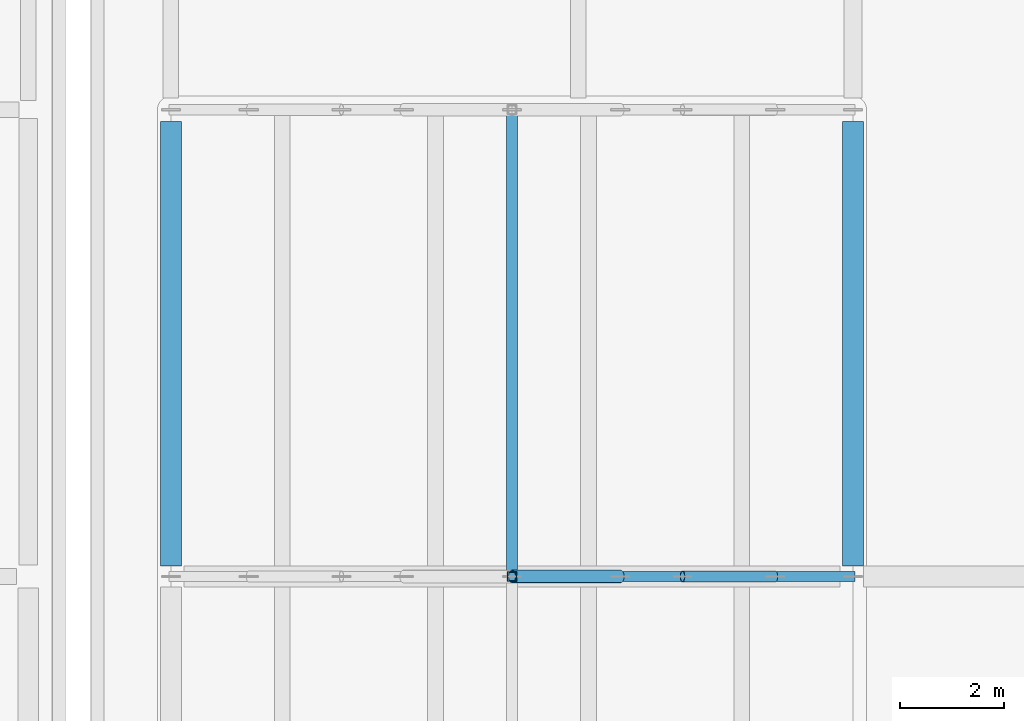
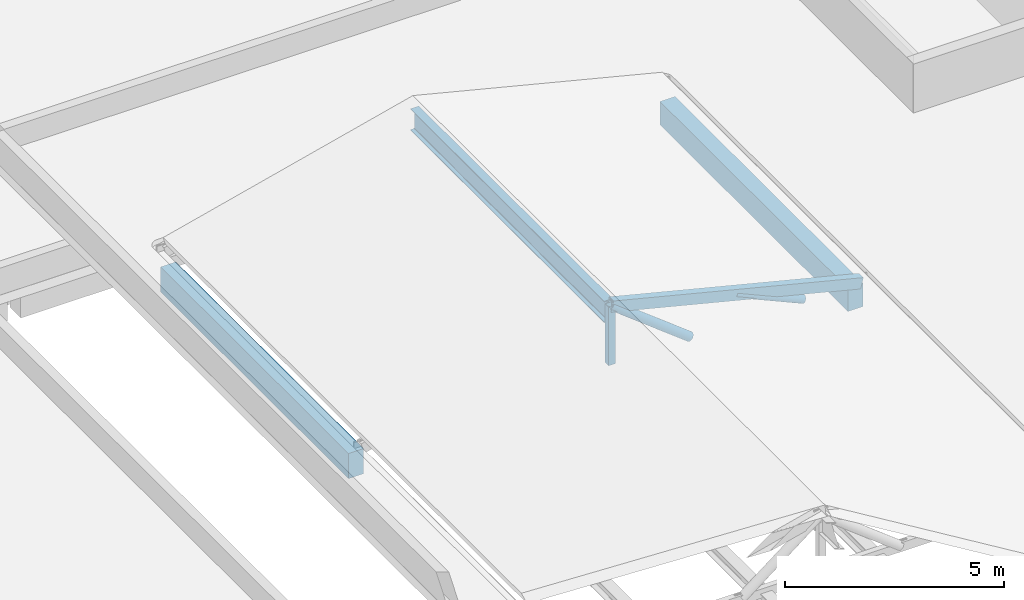
# One storey, part 4 of 40: 4 members, 3 beams.
"""IFC4 building model written with IfcOpenShell, lengths in metres."""

from ifc_helpers import new_model, si_unit, direction, frame, origin, origin_2d, place, context, subcontext, project, spatial, rectangle, hollow_rectangle, hollow_circle, i_section, extrude, material, material_profile, profile_set, type_object, element, save


model = new_model("IFC4")

# Units and contexts
model_context = context("Model", 3, precision=1e-05, world=origin(), true_north=direction((0.0, 1.0)))
body_context = subcontext(model_context, "Body", "Model", "MODEL_VIEW")
ifc_project = project(units=[si_unit("LENGTHUNIT", "METRE"), si_unit("AREAUNIT", "SQUARE_METRE"), si_unit("VOLUMEUNIT", "CUBIC_METRE"), si_unit("PLANEANGLEUNIT", "RADIAN"), si_unit("MASSUNIT", "GRAM", prefix="KILO")], contexts=[model_context])

# Site, building, storey
site_placement = place(None, origin())
site = spatial("IfcSite", under=ifc_project, at=site_placement, CompositionType="ELEMENT")
building_placement = place(site_placement, origin())
building = spatial("IfcBuilding", under=site, at=building_placement, Name="Mzevani Central Library", CompositionType="ELEMENT")
storey_placement = place(building_placement, frame((0.0, 0.0, 26.699951171875)))
storey = spatial("IfcBuildingStorey", under=building, at=storey_placement, Name="RF", CompositionType="ELEMENT", Elevation=26.699951171875)

# Beam
ifc_material_1 = material(Name="Steel S355J2", Category="steel")
ifc_material_profile_1 = material_profile(ifc_material_1, i_section(OverallWidth=0.219970703125, OverallDepth=0.60009765625, WebThickness=0.011962890625, FlangeThickness=0.01904296875, FilletRadius=0.02392578125, at=origin_2d()), Name="IPE 600")
ifc_profile_set_1 = profile_set([ifc_material_profile_1], Name="Steel S355J2")
beam_type_1 = type_object("IfcBeamType", Name="Auditorium Long-Span Girder IPE 600", PredefinedType="BEAM", material=ifc_profile_set_1)
beam_1_placement = place(storey_placement, frame((27.925048828125, 61.679931640625, -11.47998046875), z_axis=(0.0, 1.0, 0.0), x_axis=(-1.0, 0.0, 0.0)))
element("IfcBeam", 1, at=beam_1_placement, inside=storey, type_object=beam_type_1, Name="RF Auditorium Ridge Girder 3", PredefinedType="BEAM", context=body_context, shape_type="SweptSolid", body=[
    extrude(i_section(OverallWidth=0.219970703125, OverallDepth=0.60009765625, WebThickness=0.011962890625, FlangeThickness=0.01904296875, FilletRadius=0.02392578125, at=origin_2d()), origin(), (0.0, 0.0, 1.0), 8.840087890625),
])

# Members
ifc_material_profile_2 = material_profile(ifc_material_1, hollow_rectangle(XDim=0.199951171875, YDim=0.300048828125, WallThickness=0.012451171875, at=origin_2d()), Name="RHS 300x200x12.5")
ifc_profile_set_2 = profile_set([ifc_material_profile_2], Name="Steel S355J2")
member_type_1 = type_object("IfcMemberType", Name="Auditorium Top Chord RHS 300x200", PredefinedType="CHORD", material=ifc_profile_set_2)
member_1_placement = place(storey_placement, frame((27.925048828125, 61.60009765625, -11.260009765625), z_axis=(0.96992814932, 0.0, -0.243391423753), x_axis=(0.0, 1.0, 0.0)))
element("IfcMember", 2, at=member_1_placement, inside=storey, type_object=member_type_1, Name="RF Auditorium Truss 3 East Top Chord", PredefinedType="CHORD", context=body_context, shape_type="SweptSolid", body=[
    extrude(hollow_rectangle(XDim=0.199951171875, YDim=0.300048828125, WallThickness=0.012451171875, at=origin_2d()), origin(), (0.0, 0.0, 1.0), 6.77880859375),
])
ifc_material_profile_3 = material_profile(ifc_material_1, hollow_circle(Radius=0.122314453125, WallThickness=0.012451171875, at=origin_2d()), Name="CHS 244.5x12.5")
ifc_profile_set_3 = profile_set([ifc_material_profile_3], Name="Steel S355J2")
member_type_2 = type_object("IfcMemberType", Name="Auditorium Truss Strut CHS 244.5", PredefinedType="BRACE", material=ifc_profile_set_3)
member_2_placement = place(storey_placement, frame((30.012451171875, 61.60009765625, -12.8798828125), z_axis=(-0.790023424808, 0.0, 0.613076657731), x_axis=(0.0, -1.0, 0.0)))
element("IfcMember", 3, at=member_2_placement, inside=storey, type_object=member_type_2, Name="RF Auditorium Truss 3 Web 3", PredefinedType="BRACE", context=body_context, shape_type="SweptSolid", body=[
    extrude(hollow_circle(Radius=0.122314453125, WallThickness=0.012451171875, at=origin_2d()), origin(), (0.0, 0.0, 1.0), 2.64208984375),
])
ifc_material_profile_4 = material_profile(ifc_material_1, hollow_circle(Radius=0.109619140625, WallThickness=0.012451171875, at=origin_2d()), Name="CHS 219.1x12.5")
ifc_profile_set_4 = profile_set([ifc_material_profile_4], Name="Steel S355J2")
member_type_3 = type_object("IfcMemberType", Name="Auditorium Truss Web CHS 219.1", PredefinedType="BRACE", material=ifc_profile_set_4)
member_3_placement = place(storey_placement, frame((33.0, 61.60009765625, -12.8798828125), z_axis=(-0.913729192656, 0.0, 0.406323716374), x_axis=(0.0, -1.0, 0.0)))
element("IfcMember", 4, at=member_3_placement, inside=storey, type_object=member_type_3, Name="RF Auditorium Truss 3 Web 4", PredefinedType="BRACE", context=body_context, shape_type="SweptSolid", body=[
    extrude(hollow_circle(Radius=0.109619140625, WallThickness=0.012451171875, at=origin_2d()), origin(), (0.0, 0.0, 1.0), 1.956298828125),
])

# Beams
ifc_material_2 = material(Name="Concrete C35/45", Category="concrete")
ifc_material_profile_5 = material_profile(ifc_material_2, rectangle(XDim=0.39990234375, YDim=0.64990234375, at=origin_2d()), Name="RC B400x650")
ifc_profile_set_5 = profile_set([ifc_material_profile_5], Name="Concrete C35/45")
beam_type_2 = type_object("IfcBeamType", Name="Beam RC 400x650", PredefinedType="BEAM", material=ifc_profile_set_5)
beam_2_placement = place(storey_placement, frame((34.5, 61.800048828125, -13.48486328125), z_axis=(0.0, 1.0, 0.0), x_axis=(-1.0, 0.0, 0.0)))
element("IfcBeam", 5, at=beam_2_placement, inside=storey, type_object=beam_type_2, Name="RF V5 Frame Beam B-07 (1030)", PredefinedType="BEAM", context=body_context, shape_type="SweptSolid", body=[
    extrude(rectangle(XDim=0.39990234375, YDim=0.64990234375, at=origin_2d()), origin(), (0.0, 0.0, 1.0), 8.574951171875),
])
ifc_material_profile_6 = material_profile(ifc_material_2, rectangle(XDim=0.39990234375, YDim=0.699951171875, at=origin_2d()), Name="RC B400x700")
ifc_profile_set_6 = profile_set([ifc_material_profile_6], Name="Concrete C35/45")
beam_type_3 = type_object("IfcBeamType", Name="Beam RC 400x700", PredefinedType="BEAM", material=ifc_profile_set_6)
beam_3_placement = place(storey_placement, frame((21.35009765625, 61.800048828125, -13.510009765625), z_axis=(0.0, 1.0, 0.0), x_axis=(-1.0, 0.0, 0.0)))
element("IfcBeam", 6, at=beam_3_placement, inside=storey, type_object=beam_type_3, Name="RF V5 Frame Beam B-08 (1027)", PredefinedType="BEAM", context=body_context, shape_type="SweptSolid", body=[
    extrude(rectangle(XDim=0.39990234375, YDim=0.699951171875, at=origin_2d()), origin(), (0.0, 0.0, 1.0), 8.574951171875),
])

# Member
ifc_material_profile_7 = material_profile(ifc_material_1, hollow_rectangle(XDim=0.179931640625, YDim=0.179931640625, WallThickness=0.010009765625, at=origin_2d()), Name="SHS 180x180x10.0")
ifc_profile_set_7 = profile_set([ifc_material_profile_7], Name="Steel S355J2")
member_type_4 = type_object("IfcMemberType", Name="Truss King Post SHS 180x180", PredefinedType="POST", material=ifc_profile_set_7)
member_4_placement = place(storey_placement, frame((27.925048828125, 61.60009765625, -12.8798828125), z_axis=(0.0, 0.0, 1.0), x_axis=(1.0, 0.0, 0.0)))
element("IfcMember", 7, at=member_4_placement, inside=storey, type_object=member_type_4, Name="RF Auditorium Truss 3 King Post", PredefinedType="POST", context=body_context, shape_type="SweptSolid", body=[
    extrude(hollow_rectangle(XDim=0.179931640625, YDim=0.179931640625, WallThickness=0.010009765625, at=origin_2d()), origin(), (0.0, 0.0, 1.0), 1.619873046875),
])

save(model, "model.ifc")
